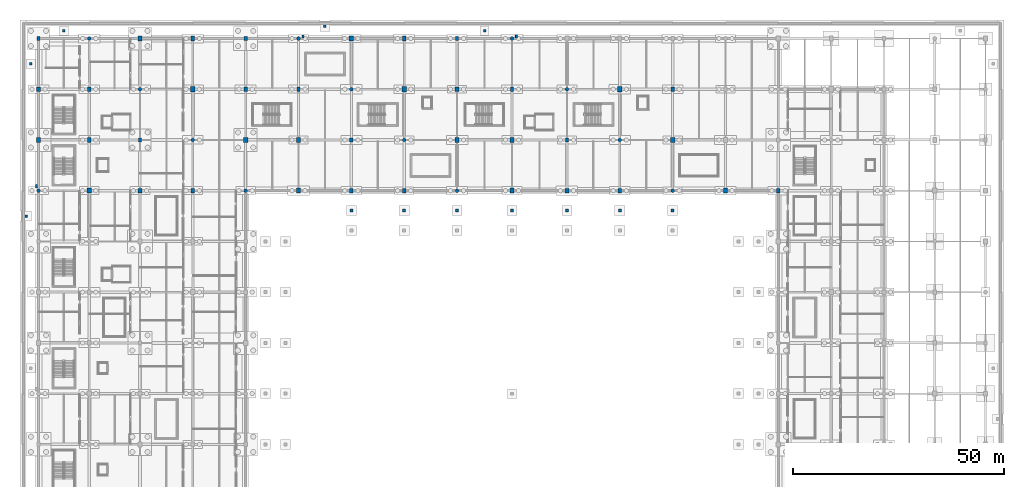
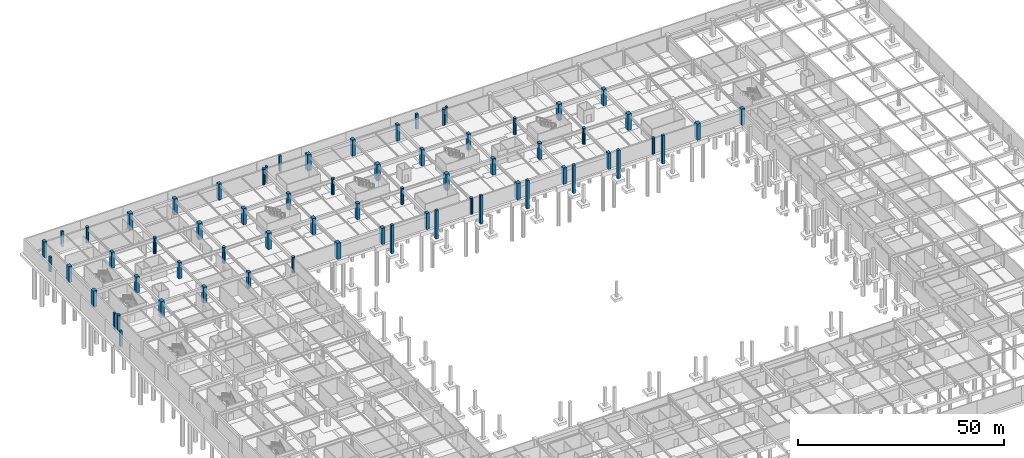
# One storey, part 14 of 56: 66 columns.
"""IFC4 building model written with IfcOpenShell, lengths in metres."""

from ifc_helpers import new_model, si_unit, direction, frame, origin, origin_2d, place, context, subcontext, project, spatial, rectangle, circle, extrude, material, material_profile, profile_set, type_object, element, save


model = new_model("IFC4")

# Units and contexts
model_context = context("Model", 3, precision=1e-05, world=origin(), true_north=direction((0.0, 1.0)))
body_context = subcontext(model_context, "Body", "Model", "MODEL_VIEW")
ifc_project = project(units=[si_unit("LENGTHUNIT", "METRE"), si_unit("AREAUNIT", "SQUARE_METRE"), si_unit("VOLUMEUNIT", "CUBIC_METRE"), si_unit("PLANEANGLEUNIT", "RADIAN"), si_unit("MASSUNIT", "GRAM", prefix="KILO")], contexts=[model_context])

# Site, building, storey
site_placement = place(None, origin())
site = spatial("IfcSite", under=ifc_project, at=site_placement, CompositionType="ELEMENT")
building_placement = place(site_placement, origin())
building = spatial("IfcBuilding", under=site, at=building_placement, Name="Kazenohara Klinker Stadium", CompositionType="ELEMENT")
storey_placement = place(building_placement, frame((0.0, 0.0, -4.800048828125)))
storey = spatial("IfcBuildingStorey", under=building, at=storey_placement, Name="B01", CompositionType="ELEMENT", Elevation=-4.800048828125)

# Columns
ifc_material = material(Name="Concrete C40/50", Category="concrete")
ifc_material_profile_1 = material_profile(ifc_material, rectangle(XDim=1.0, YDim=1.199951171875, at=origin_2d()), Name="RC-COL-1200x1000")
ifc_profile_set_1 = profile_set([ifc_material_profile_1], Name="Concrete C40/50")
column_type_1 = type_object("IfcColumnType", Name="COL-RC01", PredefinedType="COLUMN", material=ifc_profile_set_1)
for number, where, z_axis, x_axis, name in (
    (1, (0.0, 144.0, 0.0), (0.0, 0.0, 1.0), (1.0, 0.0, 0.0), "Column C01 B01 1/N"),
    (2, (12.0, 132.0, 0.0), (0.0, 0.0, 1.0), (1.0, 0.0, 0.0), "Column C01 B01 2/M"),
    (3, (24.0, 168.0, 0.0), (0.0, 0.0, 1.0), (1.0, 0.0, 0.0), "Column C01 B01 3/Q"),
    (4, (36.5, 156.0, 0.0), (0.0, 0.0, 1.0), (1.0, 0.0, 0.0), "Column C01 B01 4/P"),
    (5, (49.0, 144.0, 0.0), (0.0, 0.0, 1.0), (1.0, 0.0, 0.0), "Column C01 B01 5/N"),
    (6, (61.5, 132.0, 0.0), (0.0, 0.0, 1.0), (1.0, 0.0, 0.0), "Column C01 B01 6/M"),
    (7, (74.0, 168.0, 0.0), (0.0, 0.0, 1.0), (1.0, 0.0, 0.0), "Column C01 B01 7/Q"),
    (8, (86.5, 156.0, 0.0), (0.0, 0.0, 1.0), (1.0, 0.0, 0.0), "Column C01 B01 8/P"),
    (9, (99.0, 144.0, 0.0), (0.0, 0.0, 1.0), (1.0, 0.0, 0.0), "Column C01 B01 9/N"),
    (10, (112.0, 132.0, 0.0), (0.0, 0.0, 1.0), (1.0, 0.0, 0.0), "Column C01 B01 10/M"),
    (11, (137.5, 156.0, 0.0), (0.0, 0.0, 1.0), (1.0, 0.0, 0.0), "Column C01 B01 12/P"),
    (12, (150.0, 144.0, 0.0), (0.0, 0.0, 1.0), (1.0, 0.0, 0.0), "Column C01 B01 13/N"),
    (13, (162.5, 132.0, 0.0), (0.0, 0.0, 1.0), (1.0, 0.0, 0.0), "Column C01 B01 14/M"),
):
    element("IfcColumn", number, at=place(storey_placement, frame(where, z_axis=z_axis, x_axis=x_axis)), inside=storey, type_object=column_type_1, Name=name, PredefinedType="COLUMN", context=body_context, shape_type="SweptSolid", body=[
        extrude(rectangle(XDim=1.0, YDim=1.199951171875, at=origin_2d()), origin(), (0.0, 0.0, 1.0), 4.800048828125),
    ])
ifc_material_profile_2 = material_profile(ifc_material, rectangle(XDim=0.89990234375, YDim=1.10009765625, at=origin_2d()), Name="RC-COL-1100x900")
ifc_profile_set_2 = profile_set([ifc_material_profile_2], Name="Concrete C40/50")
column_type_2 = type_object("IfcColumnType", Name="COL-RC02", PredefinedType="COLUMN", material=ifc_profile_set_2)
for number, where, z_axis, x_axis, name in (
    (14, (0.0, 156.0, 0.0), (0.0, 0.0, 1.0), (1.0, 0.0, 0.0), "Column C02 B01 1/P"),
    (15, (12.0, 144.0, 0.0), (0.0, 0.0, 1.0), (1.0, 0.0, 0.0), "Column C02 B01 2/N"),
    (16, (24.0, 132.0, 0.0), (0.0, 0.0, 1.0), (1.0, 0.0, 0.0), "Column C02 B01 3/M"),
    (17, (36.5, 168.0, 0.0), (0.0, 0.0, 1.0), (1.0, 0.0, 0.0), "Column C02 B01 4/Q"),
    (18, (49.0, 156.0, 0.0), (0.0, 0.0, 1.0), (1.0, 0.0, 0.0), "Column C02 B01 5/P"),
    (19, (61.5, 144.0, 0.0), (0.0, 0.0, 1.0), (1.0, 0.0, 0.0), "Column C02 B01 6/N"),
    (20, (74.0, 132.0, 0.0), (0.0, 0.0, 1.0), (1.0, 0.0, 0.0), "Column C02 B01 7/M"),
    (21, (86.5, 168.0, 0.0), (0.0, 0.0, 1.0), (1.0, 0.0, 0.0), "Column C02 B01 8/Q"),
    (22, (99.0, 156.0, 0.0), (0.0, 0.0, 1.0), (1.0, 0.0, 0.0), "Column C02 B01 9/P"),
    (23, (112.0, 144.0, 0.0), (0.0, 0.0, 1.0), (1.0, 0.0, 0.0), "Column C02 B01 10/N"),
    (24, (125.0, 132.0, 0.0), (0.0, 0.0, 1.0), (1.0, 0.0, 0.0), "Column C02 B01 11/M"),
    (25, (150.0, 156.0, 0.0), (0.0, 0.0, 1.0), (1.0, 0.0, 0.0), "Column C02 B01 13/P"),
    (26, (175.0, 132.0, 0.0), (0.0, 0.0, 1.0), (1.0, 0.0, 0.0), "Column C02 B01 15/M"),
):
    element("IfcColumn", number, at=place(storey_placement, frame(where, z_axis=z_axis, x_axis=x_axis)), inside=storey, type_object=column_type_2, Name=name, PredefinedType="COLUMN", context=body_context, shape_type="SweptSolid", body=[
        extrude(rectangle(XDim=0.89990234375, YDim=1.10009765625, at=origin_2d()), origin(), (0.0, 0.0, 1.0), 4.800048828125),
    ])
ifc_material_profile_3 = material_profile(ifc_material, rectangle(XDim=0.800048828125, YDim=1.0, at=origin_2d()), Name="RC-COL-1000x800")
ifc_profile_set_3 = profile_set([ifc_material_profile_3], Name="Concrete C40/50")
column_type_3 = type_object("IfcColumnType", Name="COL-RC03", PredefinedType="COLUMN", material=ifc_profile_set_3)
for number, where, z_axis, x_axis, name in (
    (27, (0.0, 168.0, 0.0), (0.0, 0.0, 1.0), (1.0, 0.0, 0.0), "Column C03 B01 1/Q"),
    (28, (12.0, 156.0, 0.0), (0.0, 0.0, 1.0), (1.0, 0.0, 0.0), "Column C03 B01 2/P"),
    (29, (24.0, 144.0, 0.0), (0.0, 0.0, 1.0), (1.0, 0.0, 0.0), "Column C03 B01 3/N"),
    (30, (36.5, 132.0, 0.0), (0.0, 0.0, 1.0), (1.0, 0.0, 0.0), "Column C03 B01 4/M"),
    (31, (49.0, 168.0, 0.0), (0.0, 0.0, 1.0), (1.0, 0.0, 0.0), "Column C03 B01 5/Q"),
    (32, (61.5, 156.0, 0.0), (0.0, 0.0, 1.0), (1.0, 0.0, 0.0), "Column C03 B01 6/P"),
    (33, (74.0, 144.0, 0.0), (0.0, 0.0, 1.0), (1.0, 0.0, 0.0), "Column C03 B01 7/N"),
    (34, (86.5, 132.0, 0.0), (0.0, 0.0, 1.0), (1.0, 0.0, 0.0), "Column C03 B01 8/M"),
    (35, (99.0, 168.0, 0.0), (0.0, 0.0, 1.0), (1.0, 0.0, 0.0), "Column C03 B01 9/Q"),
    (36, (112.0, 156.0, 0.0), (0.0, 0.0, 1.0), (1.0, 0.0, 0.0), "Column C03 B01 10/P"),
    (37, (125.0, 144.0, 0.0), (0.0, 0.0, 1.0), (1.0, 0.0, 0.0), "Column C03 B01 11/N"),
    (38, (137.5, 132.0, 0.0), (0.0, 0.0, 1.0), (1.0, 0.0, 0.0), "Column C03 B01 12/M"),
):
    element("IfcColumn", number, at=place(storey_placement, frame(where, z_axis=z_axis, x_axis=x_axis)), inside=storey, type_object=column_type_3, Name=name, PredefinedType="COLUMN", context=body_context, shape_type="SweptSolid", body=[
        extrude(rectangle(XDim=0.800048828125, YDim=1.0, at=origin_2d()), origin(), (0.0, 0.0, 1.0), 4.800048828125),
    ])
ifc_material_profile_4 = material_profile(ifc_material, rectangle(XDim=0.699951171875, YDim=0.699951171875, at=origin_2d()), Name="RC-COL-700x700")
ifc_profile_set_4 = profile_set([ifc_material_profile_4], Name="Concrete C40/50")
column_type_4 = type_object("IfcColumnType", Name="COL-RC06", PredefinedType="COLUMN", material=ifc_profile_set_4)
for number, where, z_axis, x_axis, name in (
    (39, (74.0, 127.27490234375, 0.0), (0.0, 0.0, 1.0), (1.0, 0.0, 0.0), "Bowl mid-raker pier C06 N-7"),
    (40, (86.5, 127.27490234375, 0.0), (0.0, 0.0, 1.0), (1.0, 0.0, 0.0), "Bowl mid-raker pier C06 N-8"),
    (41, (99.0, 127.27490234375, 0.0), (0.0, 0.0, 1.0), (1.0, 0.0, 0.0), "Bowl mid-raker pier C06 N-9"),
    (42, (112.0, 127.27490234375, 0.0), (0.0, 0.0, 1.0), (1.0, 0.0, 0.0), "Bowl mid-raker pier C06 N-10"),
    (43, (125.0, 127.27490234375, 0.0), (0.0, 0.0, 1.0), (1.0, 0.0, 0.0), "Bowl mid-raker pier C06 N-11"),
    (44, (137.5, 127.27490234375, 0.0), (0.0, 0.0, 1.0), (1.0, 0.0, 0.0), "Bowl mid-raker pier C06 N-12"),
    (45, (150.0, 127.27490234375, 0.0), (0.0, 0.0, 1.0), (1.0, 0.0, 0.0), "Bowl mid-raker pier C06 N-13"),
):
    element("IfcColumn", number, at=place(storey_placement, frame(where, z_axis=z_axis, x_axis=x_axis)), inside=storey, type_object=column_type_4, Name=name, PredefinedType="COLUMN", context=body_context, shape_type="SweptSolid", body=[
        extrude(rectangle(XDim=0.699951171875, YDim=0.699951171875, at=origin_2d()), origin(), (0.0, 0.0, 1.0), 8.4013671875),
    ])
ifc_material_profile_5 = material_profile(ifc_material, rectangle(XDim=0.60009765625, YDim=0.60009765625, at=origin_2d()), Name="RC-COL-600x600")
ifc_profile_set_5 = profile_set([ifc_material_profile_5], Name="Concrete C40/50")
column_type_5 = type_object("IfcColumnType", Name="COL-RC07", PredefinedType="COLUMN", material=ifc_profile_set_5)
for number, where, z_axis, x_axis, name in (
    (46, (-1.85009765625, 162.0, 0.0), (0.0, 0.0, 1.0), (1.0, 0.0, 0.0), "Exterior plinth support pier C07 PLAZA-WEST-3"),
    (47, (6.0, 169.85009765625, 0.0), (0.0, 0.0, 1.0), (1.0, 0.0, 0.0), "Exterior plinth support pier C07 PLAZA-NORTH-1"),
    (48, (105.5, 169.85009765625, 0.0), (0.0, 0.0, 1.0), (1.0, 0.0, 0.0), "Exterior plinth support pier C07 PLAZA-NORTH-2"),
):
    element("IfcColumn", number, at=place(storey_placement, frame(where, z_axis=z_axis, x_axis=x_axis)), inside=storey, type_object=column_type_5, Name=name, PredefinedType="COLUMN", context=body_context, shape_type="SweptSolid", body=[
        extrude(rectangle(XDim=0.60009765625, YDim=0.60009765625, at=origin_2d()), origin(), (0.0, 0.0, 1.0), 4.4599609375),
    ])
for number, where, z_axis, x_axis, name in (
    (49, (-2.89990234375, 126.0, 0.0), (0.0, 0.0, 1.0), (1.0, 0.0, 0.0), "Barrier-free ramp support pier W2"),
    (50, (67.75, 170.89990234375, 0.0), (0.0, 0.0, 1.0), (1.0, 0.0, 0.0), "Barrier-free ramp support pier N1"),
):
    element("IfcColumn", number, at=place(storey_placement, frame(where, z_axis=z_axis, x_axis=x_axis)), inside=storey, type_object=column_type_5, Name=name, PredefinedType="COLUMN", context=body_context, shape_type="SweptSolid", body=[
        extrude(rectangle(XDim=0.60009765625, YDim=0.60009765625, at=origin_2d()), origin(), (0.0, 0.0, 1.0), 4.699951171875),
    ])
ifc_material_profile_6 = material_profile(ifc_material, circle(Radius=0.425048828125, at=origin_2d()), Name="RC-COL-D850")
ifc_profile_set_6 = profile_set([ifc_material_profile_6], Name="Concrete C40/50")
column_type_6 = type_object("IfcColumnType", Name="COL-RC08", PredefinedType="COLUMN", material=ifc_profile_set_6)
for number, where, z_axis, x_axis, name in (
    (51, (0.0, 132.0, 0.0), (0.0, 0.0, 1.0), (1.0, 0.0, 0.0), "Column C08 B01 1/M"),
    (52, (12.0, 168.0, 0.0), (0.0, 0.0, 1.0), (1.0, 0.0, 0.0), "Column C08 B01 2/Q"),
    (53, (24.0, 156.0, 0.0), (0.0, 0.0, 1.0), (1.0, 0.0, 0.0), "Column C08 B01 3/P"),
    (54, (36.5, 144.0, 0.0), (0.0, 0.0, 1.0), (1.0, 0.0, 0.0), "Column C08 B01 4/N"),
    (55, (49.0, 132.0, 0.0), (0.0, 0.0, 1.0), (1.0, 0.0, 0.0), "Column C08 B01 5/M"),
    (56, (61.5, 168.0, 0.0), (0.0, 0.0, 1.0), (1.0, 0.0, 0.0), "Column C08 B01 6/Q"),
    (57, (74.0, 156.0, 0.0), (0.0, 0.0, 1.0), (1.0, 0.0, 0.0), "Column C08 B01 7/P"),
    (58, (86.5, 144.0, 0.0), (0.0, 0.0, 1.0), (1.0, 0.0, 0.0), "Column C08 B01 8/N"),
    (59, (99.0, 132.0, 0.0), (0.0, 0.0, 1.0), (1.0, 0.0, 0.0), "Column C08 B01 9/M"),
    (60, (112.0, 168.0, 0.0), (0.0, 0.0, 1.0), (1.0, 0.0, 0.0), "Column C08 B01 10/Q"),
    (61, (125.0, 156.0, 0.0), (0.0, 0.0, 1.0), (1.0, 0.0, 0.0), "Column C08 B01 11/P"),
    (62, (137.5, 144.0, 0.0), (0.0, 0.0, 1.0), (1.0, 0.0, 0.0), "Column C08 B01 12/N"),
    (63, (150.0, 132.0, 0.0), (0.0, 0.0, 1.0), (1.0, 0.0, 0.0), "Column C08 B01 13/M"),
):
    element("IfcColumn", number, at=place(storey_placement, frame(where, z_axis=z_axis, x_axis=x_axis)), inside=storey, type_object=column_type_6, Name=name, PredefinedType="COLUMN", context=body_context, shape_type="SweptSolid", body=[
        extrude(circle(Radius=0.425048828125, at=origin_2d()), origin(), (0.0, 0.0, 1.0), 4.800048828125),
    ])
ifc_material_profile_7 = material_profile(ifc_material, rectangle(XDim=0.449951171875, YDim=0.64990234375, at=origin_2d()), Name="RC-PILASTER-450x650")
ifc_profile_set_7 = profile_set([ifc_material_profile_7], Name="Concrete C40/50")
column_type_7 = type_object("IfcColumnType", Name="PIL-RC01", PredefinedType="PILASTER", material=ifc_profile_set_7)
column_placement = place(storey_placement, frame((113.050048828125, 168.449951171875, 0.0), z_axis=(0.0, 0.0, 1.0), x_axis=(1.0, 0.0, 0.0)))
element("IfcColumn", 64, at=column_placement, inside=storey, type_object=column_type_7, Name="Pleated facade pilaster PL01 B01 North-09", PredefinedType="PILASTER", context=body_context, shape_type="SweptSolid", body=[
    extrude(rectangle(XDim=0.449951171875, YDim=0.64990234375, at=origin_2d()), origin(), (0.0, 0.0, 1.0), 4.800048828125),
])
ifc_material_profile_8 = material_profile(ifc_material, rectangle(XDim=0.5, YDim=0.75, at=origin_2d()), Name="RC-PILASTER-500x750")
ifc_profile_set_8 = profile_set([ifc_material_profile_8], Name="Concrete C40/50")
column_type_8 = type_object("IfcColumnType", Name="PIL-RC02", PredefinedType="PILASTER", material=ifc_profile_set_8)
for number, where, z_axis, x_axis, name in (
    (65, (-0.449951171875, 133.050048828125, 0.0), (0.0, 0.0, 1.0), (1.0, 0.0, 0.0), "Pleated facade pilaster PL02 B01 West-11"),
    (66, (62.550048828125, 168.449951171875, 0.0), (0.0, 0.0, 1.0), (1.0, 0.0, 0.0), "Pleated facade pilaster PL02 B01 North-05"),
):
    element("IfcColumn", number, at=place(storey_placement, frame(where, z_axis=z_axis, x_axis=x_axis)), inside=storey, type_object=column_type_8, Name=name, PredefinedType="PILASTER", context=body_context, shape_type="SweptSolid", body=[
        extrude(rectangle(XDim=0.5, YDim=0.75, at=origin_2d()), origin(), (0.0, 0.0, 1.0), 4.800048828125),
    ])

save(model, "model.ifc")
